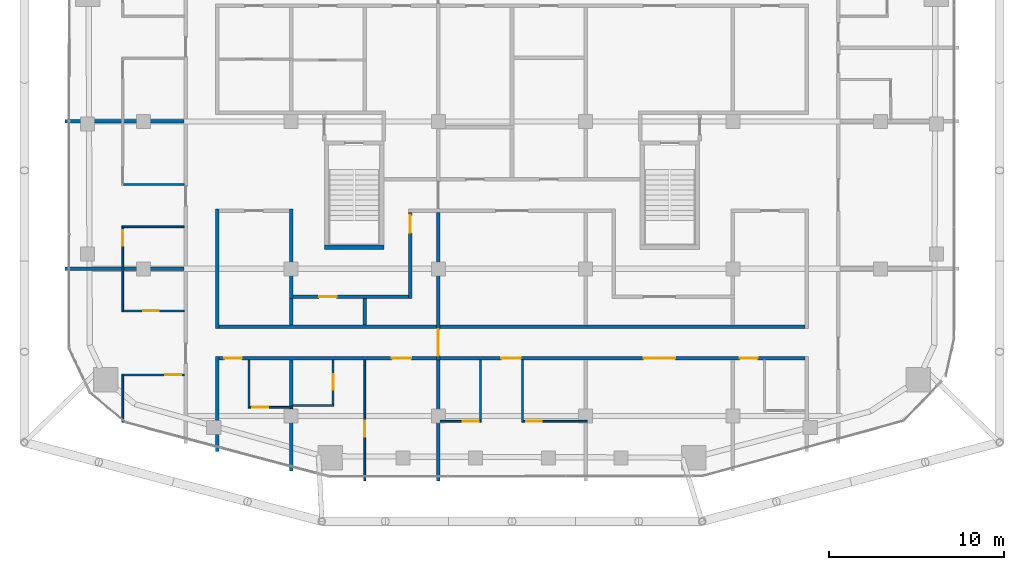
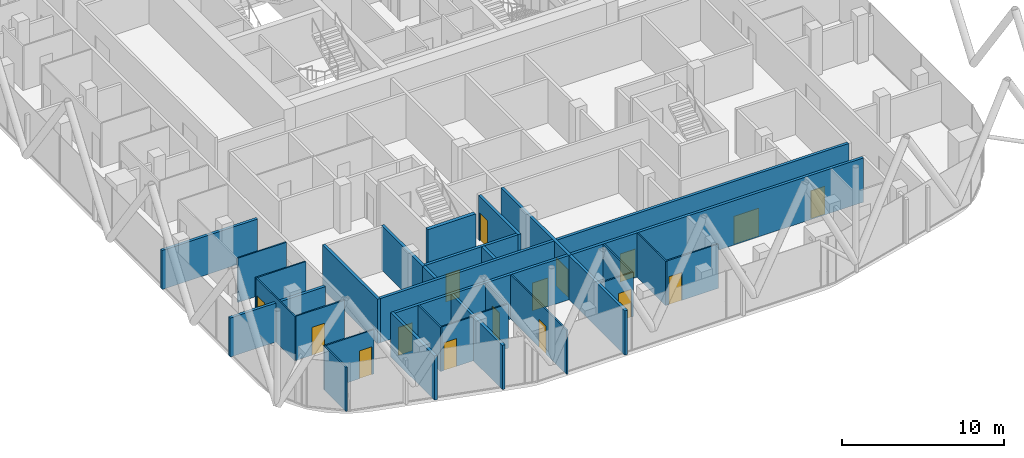
# One storey, part 20 of 28: 30 walls, 16 doors, 16 openings.
"""IFC4 building model written with IfcOpenShell, lengths in metres."""

import ifcopenshell
import ifcopenshell.guid

model = None  # the IFC model being written
_history = None  # IfcOwnerHistory: only IFC2X3 demands one
_inside = {}  # id of a spatial element -> (the spatial element, [elements in it])
_under = {}  # id of a project, library or spatial element -> (it, [spatial elements below it])
_declared = {}  # id of a project -> (the project, [libraries it declares])
_typed = {}  # id of a type object -> (the type object, [elements of that type])
_made_of = {}  # id of a material, layer set ... -> (it, [elements and type objects made of it])


def new_model(schema):
    """Start an empty IFC model of exactly this schema.

    Asked for "IFC4X3", IfcOpenShell would pick the latest addendum, in which some entities
    have other attributes; the version numbers below select the first issue.
    IFC2X3 requires an IfcOwnerHistory on every rooted entity: one is made here for all.
    """
    global model, _history
    if schema == "IFC4X3":
        model = ifcopenshell.file(schema_version=(4, 3, 0, 0))
    else:
        model = ifcopenshell.file(schema=schema)
    _inside.clear()
    _under.clear()
    _declared.clear()
    _typed.clear()
    _made_of.clear()
    _history = None
    if model.schema == "IFC2X3":
        org = make("IfcOrganization", Name="unknown")
        user = make(
            "IfcPersonAndOrganization",
            ThePerson=make("IfcPerson", FamilyName="unknown"),
            TheOrganization=org,
        )
        app = make(
            "IfcApplication",
            ApplicationDeveloper=org,
            Version="unknown",
            ApplicationFullName="unknown",
            ApplicationIdentifier="unknown",
        )
        _history = make(
            "IfcOwnerHistory",
            OwningUser=user,
            OwningApplication=app,
            ChangeAction="ADDED",
            CreationDate=0,
        )
    return model


def make(cls, **values):
    """One entity of the class cls with the attributes given. An attribute that is None is left unset."""
    return model.create_entity(
        cls, **{name: value for name, value in values.items() if value is not None}
    )


def rooted(cls, **values):
    """An entity with a GlobalId (a new one), such as an element, a storey or a relation."""
    return make(cls, GlobalId=ifcopenshell.guid.new(), OwnerHistory=_history, **values)


def si_unit(unit_type, name, prefix=None):
    """IfcSIUnit, for example si_unit("LENGTHUNIT", "METRE", prefix="MILLI")."""
    return make("IfcSIUnit", UnitType=unit_type, Prefix=prefix, Name=name)


def assignment(units):
    """IfcUnitAssignment: the units of a project."""
    return None if units is None else make("IfcUnitAssignment", Units=units)


def point(xyz):
    """IfcCartesianPoint."""
    return None if xyz is None else make("IfcCartesianPoint", Coordinates=xyz)


def direction(xyz):
    """IfcDirection."""
    return None if xyz is None else make("IfcDirection", DirectionRatios=xyz)


def frame(location, z_axis=None, x_axis=None):
    """IfcAxis2Placement3D, a coordinate frame: its origin and axes. An axis left out is left unset."""
    return make(
        "IfcAxis2Placement3D",
        Location=point(location),
        Axis=direction(z_axis),
        RefDirection=direction(x_axis),
    )


def frame_2d(location, x_axis=None):
    """IfcAxis2Placement2D, a coordinate frame in the plane: its origin and x axis."""
    return make(
        "IfcAxis2Placement2D", Location=point(location), RefDirection=direction(x_axis)
    )


def origin():
    """The frame at (0, 0, 0) with its axes left unset."""
    return frame((0.0, 0.0, 0.0))


def place(relative_to, where):
    """IfcLocalPlacement: puts the frame where relative to a parent placement (None: the world)."""
    return make(
        "IfcLocalPlacement", PlacementRelTo=relative_to, RelativePlacement=where
    )


def context(
    kind, dimensions, precision=None, world=None, true_north=None, identifier=None
):
    """IfcGeometricRepresentationContext, for example the 3D "Model" context."""
    return make(
        "IfcGeometricRepresentationContext",
        ContextIdentifier=identifier,
        ContextType=kind,
        CoordinateSpaceDimension=dimensions,
        Precision=precision,
        WorldCoordinateSystem=world,
        TrueNorth=true_north,
    )


def subcontext(parent, identifier, kind, view, scale=None):
    """IfcGeometricRepresentationSubContext, for example "Body" below "Model"."""
    return make(
        "IfcGeometricRepresentationSubContext",
        ContextIdentifier=identifier,
        ContextType=kind,
        ParentContext=parent,
        TargetScale=scale,
        TargetView=view,
    )


def project(units=None, contexts=None):
    """IfcProject with its units and contexts."""
    return rooted(
        "IfcProject",
        Name="project",
        RepresentationContexts=contexts,
        UnitsInContext=assignment(units),
    )


def spatial(cls, under=None, at=None, **own):
    """A site, building, storey or space (cls), placed at a placement, below another one or the project."""
    s = rooted(cls, ObjectPlacement=at, **own)
    if under is not None:
        _under.setdefault(under.id(), (under, []))[1].append(s)
    return s


def profile(cls, at=None, kind="AREA", **sizes):
    """A parametric profile (cls). Its sizes go by their IFC names, for example OverallWidth=200.0."""
    return make(cls, ProfileType=kind, Position=at, **sizes)


def rectangle(**sizes):
    """IfcRectangleProfileDef."""
    return profile("IfcRectangleProfileDef", **sizes)


def extrude(swept, where, along, depth):
    """IfcExtrudedAreaSolid: the profile swept, set in the frame where, extruded along a direction by depth."""
    return make(
        "IfcExtrudedAreaSolid",
        SweptArea=swept,
        Position=where,
        ExtrudedDirection=direction(along),
        Depth=depth,
    )


def shape(context_of_items, identifier, shape_type, items):
    """IfcShapeRepresentation: the items that make up one representation, for example the "Body"."""
    return make(
        "IfcShapeRepresentation",
        ContextOfItems=context_of_items,
        RepresentationIdentifier=identifier,
        RepresentationType=shape_type,
        Items=items,
    )


def material(Name=None, Category=None):
    """IfcMaterial."""
    return make("IfcMaterial", Name=Name, Category=Category)


def layer(
    of_material, thickness, ventilated=None, Name=None, Category=None, Priority=None
):
    """IfcMaterialLayer: one layer of a wall or slab, of a material (None: an air gap)."""
    return make(
        "IfcMaterialLayer",
        Material=of_material,
        LayerThickness=thickness,
        IsVentilated=ventilated,
        Name=Name,
        Category=Category,
        Priority=Priority,
    )


def layer_set(layers, Name=None):
    """IfcMaterialLayerSet."""
    return make("IfcMaterialLayerSet", MaterialLayers=layers, LayerSetName=Name)


def made_of(thing, what):
    """Note that an element or type object is made of a material, layer set ...; save() writes the relation."""
    if what is not None:
        _made_of.setdefault(what.id(), (what, []))[1].append(thing)
    return thing


def type_object(cls, material=None, **own):
    """A type object (cls), such as IfcWallType, which elements share."""
    return made_of(rooted(cls, **own), material)


def element(
    cls,
    number,
    at=None,
    inside=None,
    cuts=None,
    type_object=None,
    material=None,
    context=None,
    identifier="Body",
    shape_type=None,
    held_by="IfcProductDefinitionShape",
    body=None,
    shapes=None,
    **own,
):
    """One element of the class cls, such as IfcWall. Its Tag is "e" and its number.

    at: its placement. inside: the storey or other place that contains it. cuts: it is an
    opening in that element (IfcRelVoidsElement). A single representation is given by context,
    identifier, shape_type and body (its items); several are given by shapes. held_by: the class
    of the entity that holds the representations. save() writes the other relations.
    """
    e = rooted(cls, Tag="e%d" % number, ObjectPlacement=at, **own)
    if body is not None:
        shapes = [shape(context, identifier, shape_type, body)]
    if shapes is not None:
        e.Representation = make(held_by, Representations=shapes)
    if inside is not None:
        _inside.setdefault(inside.id(), (inside, []))[1].append(e)
    if cuts is not None:
        rooted(
            "IfcRelVoidsElement", RelatingBuildingElement=cuts, RelatedOpeningElement=e
        )
    if type_object is not None:
        _typed.setdefault(type_object.id(), (type_object, []))[1].append(e)
    return made_of(e, material)


def fill(opening, filler):
    """IfcRelFillsElement: the door or window that sits in an opening."""
    return rooted(
        "IfcRelFillsElement",
        RelatingOpeningElement=opening,
        RelatedBuildingElement=filler,
    )


def aggregate(whole, parts):
    """IfcRelAggregates: a whole, such as a stair, and the parts it consists of."""
    return rooted("IfcRelAggregates", RelatingObject=whole, RelatedObjects=parts)


def save(model, path):
    """Write the relations noted so far, then the file.

    IfcRelAggregates (storeys below a building ...), IfcRelContainedInSpatialStructure (elements
    in a storey), IfcRelDefinesByType, IfcRelAssociatesMaterial and IfcRelDeclares: one each for
    every whole, place, type object, material and project.
    """
    for whole, parts in _under.values():
        aggregate(whole, parts)
    for where, things in _inside.values():
        rooted(
            "IfcRelContainedInSpatialStructure",
            RelatedElements=things,
            RelatingStructure=where,
        )
    for kind, things in _typed.values():
        rooted("IfcRelDefinesByType", RelatedObjects=things, RelatingType=kind)
    for what, things in _made_of.values():
        rooted("IfcRelAssociatesMaterial", RelatedObjects=things, RelatingMaterial=what)
    for by, libraries in _declared.values():
        rooted("IfcRelDeclares", RelatingContext=by, RelatedDefinitions=libraries)
    model.write(path)


model = new_model("IFC4")

# Units and contexts
model_context = context("Model", 3, precision=1e-05, world=origin(), true_north=direction((0.0, 1.0)))
body_context = subcontext(model_context, "Body", "Model", "MODEL_VIEW")
ifc_project = project(units=[si_unit("LENGTHUNIT", "METRE"), si_unit("AREAUNIT", "SQUARE_METRE"), si_unit("VOLUMEUNIT", "CUBIC_METRE"), si_unit("PLANEANGLEUNIT", "RADIAN"), si_unit("MASSUNIT", "GRAM", prefix="KILO")], contexts=[model_context])

# Site, building, storey
site_placement = place(None, origin())
site = spatial("IfcSite", under=ifc_project, at=site_placement, CompositionType="ELEMENT")
building_placement = place(site_placement, origin())
building = spatial("IfcBuilding", under=site, at=building_placement, Name="Marenta Gate Hotel Tower", CompositionType="ELEMENT")
storey_placement = place(building_placement, frame((0.0, 0.0, 241.699951171875)))
storey = spatial("IfcBuildingStorey", under=building, at=storey_placement, Name="L57", CompositionType="ELEMENT", Elevation=241.699951171875)

# Wall
ifc_material_1 = material(Name="Concrete blockwork", Category="masonry")
ifc_layer_1 = layer(ifc_material_1, 0.199951171875)
ifc_layer_set_1 = layer_set([ifc_layer_1], Name="Concrete blockwork")
wall_type_1 = type_object("IfcWallType", Name="Compartment wall 200 REI 180", PredefinedType="PARTITIONING", material=ifc_layer_set_1)
wall_1_placement = place(storey_placement, frame((-4.199951171875, -28.89990234375, 0.0), z_axis=(0.0, 0.0, 1.0), x_axis=(0.0, 1.0, 0.0)))
element("IfcWall", 1, at=wall_1_placement, inside=storey, type_object=wall_type_1, Name="L57-PTN-W069", PredefinedType="PARTITIONING", context=body_context, shape_type="SweptSolid", body=[
    extrude(rectangle(XDim=6.89990234375, YDim=0.199951171875, at=frame_2d((3.449951171875, 0.0))), origin(), (0.0, 0.0, 1.0), 3.340087890625),
])

# Wall, opening, door
wall_2_placement = place(storey_placement, frame((-4.199951171875, -22.0, 0.0), z_axis=(0.0, 0.0, 1.0), x_axis=(0.0, 1.0, 0.0)))
wall_2 = element("IfcWall", 2, at=wall_2_placement, inside=storey, type_object=wall_type_1, Name="L57-PTN-W070", PredefinedType="PARTITIONING", context=body_context, shape_type="SweptSolid", body=[
    extrude(rectangle(XDim=8.39990234375, YDim=0.199951171875, at=frame_2d((4.199951171875, 0.0))), origin(), (0.0, 0.0, 1.0), 3.340087890625),
])
opening_1_placement = place(wall_2_placement, frame((0.25, 0.0, 0.0)))
opening_1 = element("IfcOpeningElement", 3, at=opening_1_placement, cuts=wall_2, Name="Opening G21-FD4", PredefinedType="OPENING", context=body_context, shape_type="SweptSolid", body=[
    extrude(rectangle(XDim=1.5, YDim=2.10009765625, at=frame_2d((0.75, 1.050048828125))), frame((0.0, 0.10009765625, 0.0), z_axis=(0.0, -1.0, 0.0), x_axis=(1.0, 0.0, 0.0)), (0.0, 0.0, 1.0), 0.199951171875),
])
ifc_material_2 = material(Name="Hollow steel door set", Category="steel")
door_type_1 = type_object("IfcDoorType", Name="Compartment fire door 1500x2100 EI 60", OperationType="DOUBLE_DOOR_DOUBLE_SWING", PredefinedType="DOOR", material=ifc_material_2)
door_1_placement = place(opening_1_placement, origin())
door_1 = element("IfcDoor", 4, at=door_1_placement, inside=storey, type_object=door_type_1, Name="L57-PD-FD04", OperationType="DOUBLE_DOOR_DOUBLE_SWING", OverallHeight=2.10009765625, OverallWidth=1.5, PredefinedType="DOOR", context=body_context, shape_type="SweptSolid", body=[
    extrude(rectangle(XDim=1.5, YDim=2.10009765625, at=frame_2d((0.75, 1.050048828125))), frame((0.0, 0.02490234375, 0.0), z_axis=(0.0, -1.0, 0.0), x_axis=(1.0, 0.0, 0.0)), (0.0, 0.0, 1.0), 0.050048828125),
])
fill(opening_1, door_1)

# Wall
ifc_material_3 = material(Name="Concrete C40", Category="concrete")
ifc_layer_2 = layer(ifc_material_3, 0.25)
ifc_layer_set_2 = layer_set([ifc_layer_2], Name="Concrete C40")
wall_type_2 = type_object("IfcWallType", Name="Remote stair enclosure wall 250 REI 180", PredefinedType="SHEAR", material=ifc_layer_set_2)
wall_3_placement = place(storey_placement, frame((-10.699951171875, -15.574951171875, 0.10009765625), z_axis=(0.0, 0.0, 1.0), x_axis=(1.0, 0.0, 0.0)))
element("IfcWall", 5, at=wall_3_placement, inside=storey, type_object=wall_type_2, Name="L57-RS-Z3-1-W1", PredefinedType="SHEAR", context=body_context, shape_type="SweptSolid", body=[
    extrude(rectangle(XDim=3.39990234375, YDim=0.25, at=frame_2d((1.699951171875, 0.0))), origin(), (0.0, 0.0, 1.0), 3.599853515625),
])

# Wall, openings, doors
ifc_material_4 = material(Name="Gypsum board on steel stud", Category="steel")
ifc_layer_3 = layer(ifc_material_4, 0.199951171875)
ifc_layer_set_3 = layer_set([ifc_layer_3], Name="Gypsum board on steel stud")
wall_type_3 = type_object("IfcWallType", Name="Room corridor wall 200 EI 60", PredefinedType="PARTITIONING", material=ifc_layer_set_3)
wall_4_placement = place(storey_placement, frame((-16.699951171875, -21.89990234375, 0.0), z_axis=(0.0, 0.0, 1.0), x_axis=(1.0, 0.0, 0.0)))
wall_4 = element("IfcWall", 6, at=wall_4_placement, inside=storey, type_object=wall_type_3, Name="L57-PTN-W011", PredefinedType="PARTITIONING", context=body_context, shape_type="SweptSolid", body=[
    extrude(rectangle(XDim=33.39990234375, YDim=0.199951171875, at=frame_2d((16.699951171875, 0.0))), origin(), (0.0, 0.0, 1.0), 3.340087890625),
])
opening_2_placement = place(wall_4_placement, frame((0.300048828125, 0.0, 0.0)))
opening_2 = element("IfcOpeningElement", 7, at=opening_2_placement, cuts=wall_4, Name="Opening G21-33", PredefinedType="OPENING", context=body_context, shape_type="SweptSolid", body=[
    extrude(rectangle(XDim=1.0, YDim=2.10009765625, at=frame_2d((0.5, 1.050048828125))), frame((0.0, 0.10009765625, 0.0), z_axis=(0.0, -1.0, 0.0), x_axis=(1.0, 0.0, 0.0)), (0.0, 0.0, 1.0), 0.199951171875),
])
opening_3_placement = place(wall_4_placement, frame((9.85009765625, 0.0, 0.0)))
opening_3 = element("IfcOpeningElement", 8, at=opening_3_placement, cuts=wall_4, Name="Opening G21-35", PredefinedType="OPENING", context=body_context, shape_type="SweptSolid", body=[
    extrude(rectangle(XDim=1.10009765625, YDim=2.10009765625, at=frame_2d((0.550048828125, 1.050048828125))), frame((0.0, 0.10009765625, 0.0), z_axis=(0.0, -1.0, 0.0), x_axis=(1.0, 0.0, 0.0)), (0.0, 0.0, 1.0), 0.199951171875),
])
opening_4_placement = place(wall_4_placement, frame((16.10009765625, 0.0, 0.0)))
opening_4 = element("IfcOpeningElement", 9, at=opening_4_placement, cuts=wall_4, Name="Opening G21-38", PredefinedType="OPENING", context=body_context, shape_type="SweptSolid", body=[
    extrude(rectangle(XDim=1.10009765625, YDim=2.10009765625, at=frame_2d((0.550048828125, 1.050048828125))), frame((0.0, 0.10009765625, 0.0), z_axis=(0.0, -1.0, 0.0), x_axis=(1.0, 0.0, 0.0)), (0.0, 0.0, 1.0), 0.199951171875),
])
opening_5_placement = place(wall_4_placement, frame((24.199951171875, 0.0, 0.0)))
opening_5 = element("IfcOpeningElement", 10, at=opening_5_placement, cuts=wall_4, Name="Opening G21-41", PredefinedType="OPENING", context=body_context, shape_type="SweptSolid", body=[
    extrude(rectangle(XDim=1.800048828125, YDim=2.10009765625, at=frame_2d((0.89990234375, 1.050048828125))), frame((0.0, 0.10009765625, 0.0), z_axis=(0.0, -1.0, 0.0), x_axis=(1.0, 0.0, 0.0)), (0.0, 0.0, 1.0), 0.199951171875),
])
opening_6_placement = place(wall_4_placement, frame((29.699951171875, 0.0, 0.0)))
opening_6 = element("IfcOpeningElement", 11, at=opening_6_placement, cuts=wall_4, Name="Opening G21-42", PredefinedType="OPENING", context=body_context, shape_type="SweptSolid", body=[
    extrude(rectangle(XDim=1.0, YDim=2.10009765625, at=frame_2d((0.5, 1.050048828125))), frame((0.0, 0.10009765625, 0.0), z_axis=(0.0, -1.0, 0.0), x_axis=(1.0, 0.0, 0.0)), (0.0, 0.0, 1.0), 0.199951171875),
])
ifc_material_5 = material(Name="Timber door leaf", Category="wood")
door_type_2 = type_object("IfcDoorType", Name="Guest room door 1000x2100 EI 30", OperationType="NOTDEFINED", PredefinedType="DOOR", material=ifc_material_5)
door_2_placement = place(opening_2_placement, origin())
door_2 = element("IfcDoor", 12, at=door_2_placement, inside=storey, type_object=door_type_2, Name="L57-PD-D033", OperationType="SINGLE_SWING_RIGHT", OverallHeight=2.10009765625, OverallWidth=1.0, PredefinedType="DOOR", context=body_context, shape_type="SweptSolid", body=[
    extrude(rectangle(XDim=1.0, YDim=2.10009765625, at=frame_2d((0.5, 1.050048828125))), frame((0.0, 0.02490234375, 0.0), z_axis=(0.0, -1.0, 0.0), x_axis=(1.0, 0.0, 0.0)), (0.0, 0.0, 1.0), 0.050048828125),
])
fill(opening_2, door_2)
door_3_placement = place(opening_6_placement, origin())
door_3 = element("IfcDoor", 13, at=door_3_placement, inside=storey, type_object=door_type_2, Name="L57-PD-D042", OperationType="SINGLE_SWING_RIGHT", OverallHeight=2.10009765625, OverallWidth=1.0, PredefinedType="DOOR", context=body_context, shape_type="SweptSolid", body=[
    extrude(rectangle(XDim=1.0, YDim=2.10009765625, at=frame_2d((0.5, 1.050048828125))), frame((0.0, 0.02490234375, 0.0), z_axis=(0.0, -1.0, 0.0), x_axis=(1.0, 0.0, 0.0)), (0.0, 0.0, 1.0), 0.050048828125),
])
fill(opening_6, door_3)
ifc_material_6 = material(Name="Timber door leaf", Category="wood")
door_type_3 = type_object("IfcDoorType", Name="Guest room door 1100x2100 EI 30", OperationType="NOTDEFINED", PredefinedType="DOOR", material=ifc_material_6)
door_4_placement = place(opening_3_placement, origin())
door_4 = element("IfcDoor", 14, at=door_4_placement, inside=storey, type_object=door_type_3, Name="L57-PD-D035", OperationType="SINGLE_SWING_LEFT", OverallHeight=2.10009765625, OverallWidth=1.10009765625, PredefinedType="DOOR", context=body_context, shape_type="SweptSolid", body=[
    extrude(rectangle(XDim=1.10009765625, YDim=2.10009765625, at=frame_2d((0.550048828125, 1.050048828125))), frame((0.0, 0.02490234375, 0.0), z_axis=(0.0, -1.0, 0.0), x_axis=(1.0, 0.0, 0.0)), (0.0, 0.0, 1.0), 0.050048828125),
])
fill(opening_3, door_4)
door_5_placement = place(opening_4_placement, origin())
door_5 = element("IfcDoor", 15, at=door_5_placement, inside=storey, type_object=door_type_3, Name="L57-PD-D038", OperationType="SINGLE_SWING_LEFT", OverallHeight=2.10009765625, OverallWidth=1.10009765625, PredefinedType="DOOR", context=body_context, shape_type="SweptSolid", body=[
    extrude(rectangle(XDim=1.10009765625, YDim=2.10009765625, at=frame_2d((0.550048828125, 1.050048828125))), frame((0.0, 0.02490234375, 0.0), z_axis=(0.0, -1.0, 0.0), x_axis=(1.0, 0.0, 0.0)), (0.0, 0.0, 1.0), 0.050048828125),
])
fill(opening_4, door_5)
ifc_material_7 = material(Name="Timber door leaf", Category="wood")
door_type_4 = type_object("IfcDoorType", Name="Room amenity door 1800x2100 EI 30", OperationType="DOUBLE_DOOR_SINGLE_SWING", PredefinedType="DOOR", material=ifc_material_7)
door_6_placement = place(opening_5_placement, origin())
door_6 = element("IfcDoor", 16, at=door_6_placement, inside=storey, type_object=door_type_4, Name="L57-PD-D041", OperationType="DOUBLE_DOOR_SINGLE_SWING", OverallHeight=2.10009765625, OverallWidth=1.800048828125, PredefinedType="DOOR", context=body_context, shape_type="SweptSolid", body=[
    extrude(rectangle(XDim=1.800048828125, YDim=2.10009765625, at=frame_2d((0.89990234375, 1.050048828125))), frame((0.0, 0.02490234375, 0.0), z_axis=(0.0, -1.0, 0.0), x_axis=(1.0, 0.0, 0.0)), (0.0, 0.0, 1.0), 0.050048828125),
])
fill(opening_5, door_6)

# Wall
wall_5_placement = place(storey_placement, frame((-16.699951171875, -20.10009765625, 0.0), z_axis=(0.0, 0.0, 1.0), x_axis=(1.0, 0.0, 0.0)))
element("IfcWall", 17, at=wall_5_placement, inside=storey, type_object=wall_type_3, Name="L57-PTN-W015", PredefinedType="PARTITIONING", context=body_context, shape_type="SweptSolid", body=[
    extrude(rectangle(XDim=33.39990234375, YDim=0.199951171875, at=frame_2d((16.699951171875, 0.0))), origin(), (0.0, 0.0, 1.0), 3.340087890625),
])

# Wall, opening, door
wall_6_placement = place(storey_placement, frame((-12.5, -18.39990234375, 0.0), z_axis=(0.0, 0.0, 1.0), x_axis=(1.0, 0.0, 0.0)))
wall_6 = element("IfcWall", 18, at=wall_6_placement, inside=storey, type_object=wall_type_3, Name="L57-PTN-W018", PredefinedType="PARTITIONING", context=body_context, shape_type="SweptSolid", body=[
    extrude(rectangle(XDim=6.60009765625, YDim=0.199951171875, at=frame_2d((3.300048828125, 0.0))), origin(), (0.0, 0.0, 1.0), 3.340087890625),
])
opening_7_placement = place(wall_6_placement, frame((1.5, 0.0, 0.0)))
opening_7 = element("IfcOpeningElement", 19, at=opening_7_placement, cuts=wall_6, Name="Opening G21-09", PredefinedType="OPENING", context=body_context, shape_type="SweptSolid", body=[
    extrude(rectangle(XDim=1.0, YDim=2.10009765625, at=frame_2d((0.5, 1.050048828125))), frame((0.0, 0.10009765625, 0.0), z_axis=(0.0, -1.0, 0.0), x_axis=(1.0, 0.0, 0.0)), (0.0, 0.0, 1.0), 0.199951171875),
])
ifc_material_8 = material(Name="Timber door leaf", Category="wood")
door_type_5 = type_object("IfcDoorType", Name="Room amenity door 1000x2100 EI 30", OperationType="NOTDEFINED", PredefinedType="DOOR", material=ifc_material_8)
door_7_placement = place(opening_7_placement, origin())
door_7 = element("IfcDoor", 20, at=door_7_placement, inside=storey, type_object=door_type_5, Name="L57-PD-D009", OperationType="SINGLE_SWING_RIGHT", OverallHeight=2.10009765625, OverallWidth=1.0, PredefinedType="DOOR", context=body_context, shape_type="SweptSolid", body=[
    extrude(rectangle(XDim=1.0, YDim=2.10009765625, at=frame_2d((0.5, 1.050048828125))), frame((0.0, 0.02490234375, 0.0), z_axis=(0.0, -1.0, 0.0), x_axis=(1.0, 0.0, 0.0)), (0.0, 0.0, 1.0), 0.050048828125),
])
fill(opening_7, door_7)

wall_7_placement = place(storey_placement, frame((-5.800048828125, -18.5, 0.0), z_axis=(0.0, 0.0, 1.0), x_axis=(0.0, 1.0, 0.0)))
wall_7 = element("IfcWall", 21, at=wall_7_placement, inside=storey, type_object=wall_type_3, Name="L57-PTN-W075", PredefinedType="PARTITIONING", context=body_context, shape_type="SweptSolid", body=[
    extrude(rectangle(XDim=4.89990234375, YDim=0.199951171875, at=frame_2d((2.449951171875, 0.0))), origin(), (0.0, 0.0, 1.0), 3.340087890625),
])
opening_8_placement = place(wall_7_placement, frame((3.75, 0.0, 0.0)))
opening_8 = element("IfcOpeningElement", 22, at=opening_8_placement, cuts=wall_7, Name="Opening G21-10", PredefinedType="OPENING", context=body_context, shape_type="SweptSolid", body=[
    extrude(rectangle(XDim=1.0, YDim=2.10009765625, at=frame_2d((0.5, 1.050048828125))), frame((0.0, 0.10009765625, 0.0), z_axis=(0.0, -1.0, 0.0), x_axis=(1.0, 0.0, 0.0)), (0.0, 0.0, 1.0), 0.199951171875),
])
door_8_placement = place(opening_8_placement, origin())
door_8 = element("IfcDoor", 23, at=door_8_placement, inside=storey, type_object=door_type_5, Name="L57-PD-D010", OperationType="SINGLE_SWING_RIGHT", OverallHeight=2.10009765625, OverallWidth=1.0, PredefinedType="DOOR", context=body_context, shape_type="SweptSolid", body=[
    extrude(rectangle(XDim=1.0, YDim=2.10009765625, at=frame_2d((0.5, 1.050048828125))), frame((0.0, 0.02490234375, 0.0), z_axis=(0.0, -1.0, 0.0), x_axis=(1.0, 0.0, 0.0)), (0.0, 0.0, 1.0), 0.050048828125),
])
fill(opening_8, door_8)

# Walls
wall_8_placement = place(storey_placement, frame((-12.60009765625, -18.5, 0.0), z_axis=(0.0, 0.0, 1.0), x_axis=(0.0, 1.0, 0.0)))
element("IfcWall", 24, at=wall_8_placement, inside=storey, type_object=wall_type_3, Name="L57-PTN-W091", PredefinedType="PARTITIONING", context=body_context, shape_type="SweptSolid", body=[
    extrude(rectangle(XDim=5.10009765625, YDim=0.199951171875, at=frame_2d((2.550048828125, 0.0))), origin(), (0.0, 0.0, 1.0), 3.340087890625),
])
wall_9_placement = place(storey_placement, frame((-16.800048828125, -27.22900390625, 0.0), z_axis=(0.0, 0.0, 1.0), x_axis=(0.0, 1.0, 0.0)))
element("IfcWall", 25, at=wall_9_placement, inside=storey, type_object=wall_type_3, Name="L57-PTN-W095", PredefinedType="PARTITIONING", context=body_context, shape_type="SweptSolid", body=[
    extrude(rectangle(XDim=5.428955078125, YDim=0.199951171875, at=frame_2d((2.71435546875, 0.0))), origin(), (0.0, 0.0, 1.0), 3.340087890625),
])
wall_10_placement = place(storey_placement, frame((-16.800048828125, -20.199951171875, 0.0), z_axis=(0.0, 0.0, 1.0), x_axis=(0.0, 1.0, 0.0)))
element("IfcWall", 26, at=wall_10_placement, inside=storey, type_object=wall_type_3, Name="L57-PTN-W096", PredefinedType="PARTITIONING", context=body_context, shape_type="SweptSolid", body=[
    extrude(rectangle(XDim=6.800048828125, YDim=0.199951171875, at=frame_2d((3.39990234375, 0.0))), origin(), (0.0, 0.0, 1.0), 3.340087890625),
])

# Wall, opening, door
ifc_material_9 = material(Name="Gypsum board on steel stud", Category="steel")
ifc_layer_4 = layer(ifc_material_9, 0.10009765625)
ifc_layer_set_4 = layer_set([ifc_layer_4], Name="Gypsum board on steel stud")
wall_type_4 = type_object("IfcWallType", Name="Room partition 100", PredefinedType="PARTITIONING", material=ifc_layer_set_4)
wall_11_placement = place(storey_placement, frame((-4.10009765625, -25.5, 0.0), z_axis=(0.0, 0.0, 1.0), x_axis=(1.0, 0.0, 0.0)))
wall_11 = element("IfcWall", 27, at=wall_11_placement, inside=storey, type_object=wall_type_4, Name="L57-PTN-W001", PredefinedType="PARTITIONING", context=body_context, shape_type="SweptSolid", body=[
    extrude(rectangle(XDim=2.35009765625, YDim=0.10009765625, at=frame_2d((1.175048828125, 0.0))), origin(), (0.0, 0.0, 1.0), 3.340087890625),
])
opening_9_placement = place(wall_11_placement, frame((1.300048828125, 0.0, 0.0)))
opening_9 = element("IfcOpeningElement", 28, at=opening_9_placement, cuts=wall_11, Name="Opening G21-40", PredefinedType="OPENING", context=body_context, shape_type="SweptSolid", body=[
    extrude(rectangle(XDim=0.89990234375, YDim=2.10009765625, at=frame_2d((0.449951171875, 1.050048828125))), frame((0.0, 0.050048828125, 0.0), z_axis=(0.0, -1.0, 0.0), x_axis=(1.0, 0.0, 0.0)), (0.0, 0.0, 1.0), 0.10009765625),
])
ifc_material_10 = material(Name="Timber door leaf", Category="wood")
door_type_6 = type_object("IfcDoorType", Name="Room inner door 900x2100", OperationType="NOTDEFINED", PredefinedType="DOOR", material=ifc_material_10)
door_9_placement = place(opening_9_placement, origin())
door_9 = element("IfcDoor", 29, at=door_9_placement, inside=storey, type_object=door_type_6, Name="L57-PD-D040", OperationType="SINGLE_SWING_RIGHT", OverallHeight=2.10009765625, OverallWidth=0.89990234375, PredefinedType="DOOR", context=body_context, shape_type="SweptSolid", body=[
    extrude(rectangle(XDim=0.89990234375, YDim=2.10009765625, at=frame_2d((0.449951171875, 1.050048828125))), frame((0.0, 0.02490234375, 0.0), z_axis=(0.0, -1.0, 0.0), x_axis=(1.0, 0.0, 0.0)), (0.0, 0.0, 1.0), 0.050048828125),
])
fill(opening_9, door_9)

wall_12_placement = place(storey_placement, frame((0.64990234375, -25.5, 0.0), z_axis=(0.0, 0.0, 1.0), x_axis=(1.0, 0.0, 0.0)))
wall_12 = element("IfcWall", 30, at=wall_12_placement, inside=storey, type_object=wall_type_4, Name="L57-PTN-W002", PredefinedType="PARTITIONING", context=body_context, shape_type="SweptSolid", body=[
    extrude(rectangle(XDim=3.650146484375, YDim=0.10009765625, at=frame_2d((1.8251953125, 0.0))), origin(), (0.0, 0.0, 1.0), 3.340087890625),
])
opening_10_placement = place(wall_12_placement, frame((0.14990234375, 0.0, 0.0)))
opening_10 = element("IfcOpeningElement", 31, at=opening_10_placement, cuts=wall_12, Name="Opening G21-39", PredefinedType="OPENING", context=body_context, shape_type="SweptSolid", body=[
    extrude(rectangle(XDim=0.89990234375, YDim=2.10009765625, at=frame_2d((0.449951171875, 1.050048828125))), frame((0.0, 0.050048828125, 0.0), z_axis=(0.0, -1.0, 0.0), x_axis=(1.0, 0.0, 0.0)), (0.0, 0.0, 1.0), 0.10009765625),
])
ifc_material_11 = material(Name="Timber door leaf", Category="wood")
door_type_7 = type_object("IfcDoorType", Name="Guest bathroom door 900x2100", OperationType="NOTDEFINED", PredefinedType="DOOR", material=ifc_material_11)
door_10_placement = place(opening_10_placement, origin())
door_10 = element("IfcDoor", 32, at=door_10_placement, inside=storey, type_object=door_type_7, Name="L57-PD-D039", OperationType="SINGLE_SWING_LEFT", OverallHeight=2.10009765625, OverallWidth=0.89990234375, PredefinedType="DOOR", context=body_context, shape_type="SweptSolid", body=[
    extrude(rectangle(XDim=0.89990234375, YDim=2.10009765625, at=frame_2d((0.449951171875, 1.050048828125))), frame((0.0, 0.02490234375, 0.0), z_axis=(0.0, -1.0, 0.0), x_axis=(1.0, 0.0, 0.0)), (0.0, 0.0, 1.0), 0.050048828125),
])
fill(opening_10, door_10)

wall_13_placement = place(storey_placement, frame((-14.949951171875, -24.699951171875, 0.0), z_axis=(0.0, 0.0, 1.0), x_axis=(1.0, 0.0, 0.0)))
wall_13 = element("IfcWall", 33, at=wall_13_placement, inside=storey, type_object=wall_type_4, Name="L57-PTN-W004", PredefinedType="PARTITIONING", context=body_context, shape_type="SweptSolid", body=[
    extrude(rectangle(XDim=2.449951171875, YDim=0.10009765625, at=frame_2d((1.22509765625, 0.0))), origin(), (0.0, 0.0, 1.0), 3.340087890625),
])
opening_11_placement = place(wall_13_placement, frame((0.14990234375, 0.0, 0.0)))
opening_11 = element("IfcOpeningElement", 34, at=opening_11_placement, cuts=wall_13, Name="Opening G21-34", PredefinedType="OPENING", context=body_context, shape_type="SweptSolid", body=[
    extrude(rectangle(XDim=0.89990234375, YDim=2.10009765625, at=frame_2d((0.449951171875, 1.050048828125))), frame((0.0, 0.050048828125, 0.0), z_axis=(0.0, -1.0, 0.0), x_axis=(1.0, 0.0, 0.0)), (0.0, 0.0, 1.0), 0.10009765625),
])
door_11_placement = place(opening_11_placement, origin())
door_11 = element("IfcDoor", 35, at=door_11_placement, inside=storey, type_object=door_type_7, Name="L57-PD-D034", OperationType="SINGLE_SWING_LEFT", OverallHeight=2.10009765625, OverallWidth=0.89990234375, PredefinedType="DOOR", context=body_context, shape_type="SweptSolid", body=[
    extrude(rectangle(XDim=0.89990234375, YDim=2.10009765625, at=frame_2d((0.449951171875, 1.050048828125))), frame((0.0, 0.02490234375, 0.0), z_axis=(0.0, -1.0, 0.0), x_axis=(1.0, 0.0, 0.0)), (0.0, 0.0, 1.0), 0.050048828125),
])
fill(opening_11, door_11)

# Wall
wall_14_placement = place(storey_placement, frame((-12.5, -24.60009765625, 0.0), z_axis=(0.0, 0.0, 1.0), x_axis=(1.0, 0.0, 0.0)))
element("IfcWall", 36, at=wall_14_placement, inside=storey, type_object=wall_type_4, Name="L57-PTN-W005", PredefinedType="PARTITIONING", context=body_context, shape_type="SweptSolid", body=[
    extrude(rectangle(XDim=2.35009765625, YDim=0.10009765625, at=frame_2d((1.175048828125, 0.0))), origin(), (0.0, 0.0, 1.0), 3.340087890625),
])

# Wall, opening, door
wall_15_placement = place(storey_placement, frame((-22.25, -22.85107421875, 0.0), z_axis=(0.0, 0.0, 1.0), x_axis=(1.0, 0.0, 0.0)))
wall_15 = element("IfcWall", 37, at=wall_15_placement, inside=storey, type_object=wall_type_4, Name="L57-PTN-W006", PredefinedType="PARTITIONING", context=body_context, shape_type="SweptSolid", body=[
    extrude(rectangle(XDim=3.550048828125, YDim=0.10009765625, at=frame_2d((1.77490234375, 0.0))), origin(), (0.0, 0.0, 1.0), 3.340087890625),
])
opening_12_placement = place(wall_15_placement, frame((2.489990234375, 0.0, 0.0)))
opening_12 = element("IfcOpeningElement", 38, at=opening_12_placement, cuts=wall_15, Name="Opening G21-45", PredefinedType="OPENING", context=body_context, shape_type="SweptSolid", body=[
    extrude(rectangle(XDim=0.89990234375, YDim=2.10009765625, at=frame_2d((0.449951171875, 1.050048828125))), frame((0.0, 0.050048828125, 0.0), z_axis=(0.0, -1.0, 0.0), x_axis=(1.0, 0.0, 0.0)), (0.0, 0.0, 1.0), 0.10009765625),
])
door_12_placement = place(opening_12_placement, origin())
door_12 = element("IfcDoor", 39, at=door_12_placement, inside=storey, type_object=door_type_7, Name="L57-PD-D045", OperationType="SINGLE_SWING_LEFT", OverallHeight=2.10009765625, OverallWidth=0.89990234375, PredefinedType="DOOR", context=body_context, shape_type="SweptSolid", body=[
    extrude(rectangle(XDim=0.89990234375, YDim=2.10009765625, at=frame_2d((0.449951171875, 1.050048828125))), frame((0.0, 0.02490234375, 0.0), z_axis=(0.0, -1.0, 0.0), x_axis=(1.0, 0.0, 0.0)), (0.0, 0.0, 1.0), 0.050048828125),
])
fill(opening_12, door_12)

wall_16_placement = place(storey_placement, frame((-22.14990234375, -19.199951171875, 0.0), z_axis=(0.0, 0.0, 1.0), x_axis=(1.0, 0.0, 0.0)))
wall_16 = element("IfcWall", 40, at=wall_16_placement, inside=storey, type_object=wall_type_4, Name="L57-PTN-W016", PredefinedType="PARTITIONING", context=body_context, shape_type="SweptSolid", body=[
    extrude(rectangle(XDim=3.449951171875, YDim=0.10009765625, at=frame_2d((1.72509765625, 0.0))), origin(), (0.0, 0.0, 1.0), 3.340087890625),
])
opening_13_placement = place(wall_16_placement, frame((1.1201171875, 0.0, 0.0)))
opening_13 = element("IfcOpeningElement", 41, at=opening_13_placement, cuts=wall_16, Name="Opening G21-46", PredefinedType="OPENING", context=body_context, shape_type="SweptSolid", body=[
    extrude(rectangle(XDim=0.89990234375, YDim=2.10009765625, at=frame_2d((0.449951171875, 1.050048828125))), frame((0.0, 0.050048828125, 0.0), z_axis=(0.0, -1.0, 0.0), x_axis=(1.0, 0.0, 0.0)), (0.0, 0.0, 1.0), 0.10009765625),
])
door_13_placement = place(opening_13_placement, origin())
door_13 = element("IfcDoor", 42, at=door_13_placement, inside=storey, type_object=door_type_6, Name="L57-PD-D046", OperationType="SINGLE_SWING_LEFT", OverallHeight=2.10009765625, OverallWidth=0.89990234375, PredefinedType="DOOR", context=body_context, shape_type="SweptSolid", body=[
    extrude(rectangle(XDim=0.89990234375, YDim=2.10009765625, at=frame_2d((0.449951171875, 1.050048828125))), frame((0.0, 0.02490234375, 0.0), z_axis=(0.0, -1.0, 0.0), x_axis=(1.0, 0.0, 0.0)), (0.0, 0.0, 1.0), 0.050048828125),
])
fill(opening_13, door_13)

# Walls
wall_17_placement = place(storey_placement, frame((-22.25, -14.39990234375, 0.0), z_axis=(0.0, 0.0, 1.0), x_axis=(1.0, 0.0, 0.0)))
element("IfcWall", 43, at=wall_17_placement, inside=storey, type_object=wall_type_4, Name="L57-PTN-W027", PredefinedType="PARTITIONING", context=body_context, shape_type="SweptSolid", body=[
    extrude(rectangle(XDim=3.550048828125, YDim=0.10009765625, at=frame_2d((1.77490234375, 0.0))), origin(), (0.0, 0.0, 1.0), 3.340087890625),
])
wall_18_placement = place(storey_placement, frame((-22.14990234375, -12.0, 0.0), z_axis=(0.0, 0.0, 1.0), x_axis=(1.0, 0.0, 0.0)))
element("IfcWall", 44, at=wall_18_placement, inside=storey, type_object=wall_type_4, Name="L57-PTN-W036", PredefinedType="PARTITIONING", context=body_context, shape_type="SweptSolid", body=[
    extrude(rectangle(XDim=3.449951171875, YDim=0.10009765625, at=frame_2d((1.72509765625, 0.0))), origin(), (0.0, 0.0, 1.0), 3.340087890625),
])
wall_19_placement = place(storey_placement, frame((0.60009765625, -25.550048828125, 0.0), z_axis=(0.0, 0.0, 1.0), x_axis=(0.0, 1.0, 0.0)))
element("IfcWall", 45, at=wall_19_placement, inside=storey, type_object=wall_type_4, Name="L57-PTN-W062", PredefinedType="PARTITIONING", context=body_context, shape_type="SweptSolid", body=[
    extrude(rectangle(XDim=3.550048828125, YDim=0.10009765625, at=frame_2d((1.77490234375, 0.0))), origin(), (0.0, 0.0, 1.0), 3.340087890625),
])
wall_20_placement = place(storey_placement, frame((-1.800048828125, -25.449951171875, 0.0), z_axis=(0.0, 0.0, 1.0), x_axis=(0.0, 1.0, 0.0)))
element("IfcWall", 46, at=wall_20_placement, inside=storey, type_object=wall_type_4, Name="L57-PTN-W066", PredefinedType="PARTITIONING", context=body_context, shape_type="SweptSolid", body=[
    extrude(rectangle(XDim=3.449951171875, YDim=0.10009765625, at=frame_2d((1.72509765625, 0.0))), origin(), (0.0, 0.0, 1.0), 3.340087890625),
])

# Wall, opening, door
wall_21_placement = place(storey_placement, frame((-8.39990234375, -28.89990234375, 0.0), z_axis=(0.0, 0.0, 1.0), x_axis=(0.0, 1.0, 0.0)))
wall_21 = element("IfcWall", 47, at=wall_21_placement, inside=storey, type_object=wall_type_4, Name="L57-PTN-W078", PredefinedType="PARTITIONING", context=body_context, shape_type="SweptSolid", body=[
    extrude(rectangle(XDim=6.89990234375, YDim=0.10009765625, at=frame_2d((3.449951171875, 0.0))), origin(), (0.0, 0.0, 1.0), 3.340087890625),
])
opening_14_placement = place(wall_21_placement, frame((2.530029296875, 0.0, 0.0)))
opening_14 = element("IfcOpeningElement", 48, at=opening_14_placement, cuts=wall_21, Name="Opening G21-36", PredefinedType="OPENING", context=body_context, shape_type="SweptSolid", body=[
    extrude(rectangle(XDim=0.89990234375, YDim=2.10009765625, at=frame_2d((0.449951171875, 1.050048828125))), frame((0.0, 0.050048828125, 0.0), z_axis=(0.0, -1.0, 0.0), x_axis=(1.0, 0.0, 0.0)), (0.0, 0.0, 1.0), 0.10009765625),
])
door_14_placement = place(opening_14_placement, origin())
door_14 = element("IfcDoor", 49, at=door_14_placement, inside=storey, type_object=door_type_6, Name="L57-PD-D036", OperationType="SINGLE_SWING_LEFT", OverallHeight=2.10009765625, OverallWidth=0.89990234375, PredefinedType="DOOR", context=body_context, shape_type="SweptSolid", body=[
    extrude(rectangle(XDim=0.89990234375, YDim=2.10009765625, at=frame_2d((0.449951171875, 1.050048828125))), frame((0.0, 0.02490234375, 0.0), z_axis=(0.0, -1.0, 0.0), x_axis=(1.0, 0.0, 0.0)), (0.0, 0.0, 1.0), 0.050048828125),
])
fill(opening_14, door_14)

wall_22_placement = place(storey_placement, frame((-10.199951171875, -24.550048828125, 0.0), z_axis=(0.0, 0.0, 1.0), x_axis=(0.0, 1.0, 0.0)))
wall_22 = element("IfcWall", 50, at=wall_22_placement, inside=storey, type_object=wall_type_4, Name="L57-PTN-W083", PredefinedType="PARTITIONING", context=body_context, shape_type="SweptSolid", body=[
    extrude(rectangle(XDim=2.550048828125, YDim=0.10009765625, at=frame_2d((1.27490234375, 0.0))), origin(), (0.0, 0.0, 1.0), 3.340087890625),
])
opening_15_placement = place(wall_22_placement, frame((0.85009765625, 0.0, 0.0)))
opening_15 = element("IfcOpeningElement", 51, at=opening_15_placement, cuts=wall_22, Name="Opening G21-37", PredefinedType="OPENING", context=body_context, shape_type="SweptSolid", body=[
    extrude(rectangle(XDim=0.89990234375, YDim=2.10009765625, at=frame_2d((0.449951171875, 1.050048828125))), frame((0.0, 0.050048828125, 0.0), z_axis=(0.0, -1.0, 0.0), x_axis=(1.0, 0.0, 0.0)), (0.0, 0.0, 1.0), 0.10009765625),
])
door_15_placement = place(opening_15_placement, origin())
door_15 = element("IfcDoor", 52, at=door_15_placement, inside=storey, type_object=door_type_7, Name="L57-PD-D037", OperationType="SINGLE_SWING_RIGHT", OverallHeight=2.10009765625, OverallWidth=0.89990234375, PredefinedType="DOOR", context=body_context, shape_type="SweptSolid", body=[
    extrude(rectangle(XDim=0.89990234375, YDim=2.10009765625, at=frame_2d((0.449951171875, 1.050048828125))), frame((0.0, 0.02490234375, 0.0), z_axis=(0.0, -1.0, 0.0), x_axis=(1.0, 0.0, 0.0)), (0.0, 0.0, 1.0), 0.050048828125),
])
fill(opening_15, door_15)

# Walls
wall_23_placement = place(storey_placement, frame((-15.0, -24.75, 0.0), z_axis=(0.0, 0.0, 1.0), x_axis=(0.0, 1.0, 0.0)))
element("IfcWall", 53, at=wall_23_placement, inside=storey, type_object=wall_type_4, Name="L57-PTN-W094", PredefinedType="PARTITIONING", context=body_context, shape_type="SweptSolid", body=[
    extrude(rectangle(XDim=2.75, YDim=0.10009765625, at=frame_2d((1.375, 0.0))), origin(), (0.0, 0.0, 1.0), 3.340087890625),
])
wall_24_placement = place(storey_placement, frame((-22.199951171875, -25.552001953125, 0.0), z_axis=(0.0, 0.0, 1.0), x_axis=(0.0, 1.0, 0.0)))
element("IfcWall", 54, at=wall_24_placement, inside=storey, type_object=wall_type_4, Name="L57-PTN-W106", PredefinedType="PARTITIONING", context=body_context, shape_type="SweptSolid", body=[
    extrude(rectangle(XDim=2.651123046875, YDim=0.10009765625, at=frame_2d((1.32568359375, 0.0))), origin(), (0.0, 0.0, 1.0), 3.340087890625),
])

# Wall, opening, door
wall_25_placement = place(storey_placement, frame((-22.199951171875, -19.25, 0.0), z_axis=(0.0, 0.0, 1.0), x_axis=(0.0, 1.0, 0.0)))
wall_25 = element("IfcWall", 55, at=wall_25_placement, inside=storey, type_object=wall_type_4, Name="L57-PTN-W107", PredefinedType="PARTITIONING", context=body_context, shape_type="SweptSolid", body=[
    extrude(rectangle(XDim=4.800048828125, YDim=0.10009765625, at=frame_2d((2.39990234375, 0.0))), origin(), (0.0, 0.0, 1.0), 3.340087890625),
])
opening_16_placement = place(wall_25_placement, frame((3.75, 0.0, 0.0)))
opening_16 = element("IfcOpeningElement", 56, at=opening_16_placement, cuts=wall_25, Name="Opening G21-49", PredefinedType="OPENING", context=body_context, shape_type="SweptSolid", body=[
    extrude(rectangle(XDim=0.89990234375, YDim=2.10009765625, at=frame_2d((0.449951171875, 1.050048828125))), frame((0.0, 0.050048828125, 0.0), z_axis=(0.0, -1.0, 0.0), x_axis=(1.0, 0.0, 0.0)), (0.0, 0.0, 1.0), 0.10009765625),
])
door_16_placement = place(opening_16_placement, origin())
door_16 = element("IfcDoor", 57, at=door_16_placement, inside=storey, type_object=door_type_6, Name="L57-PD-D049", OperationType="SINGLE_SWING_LEFT", OverallHeight=2.10009765625, OverallWidth=0.89990234375, PredefinedType="DOOR", context=body_context, shape_type="SweptSolid", body=[
    extrude(rectangle(XDim=0.89990234375, YDim=2.10009765625, at=frame_2d((0.449951171875, 1.050048828125))), frame((0.0, 0.02490234375, 0.0), z_axis=(0.0, -1.0, 0.0), x_axis=(1.0, 0.0, 0.0)), (0.0, 0.0, 1.0), 0.050048828125),
])
fill(opening_16, door_16)

# Walls
ifc_material_12 = material(Name="Gypsum board on steel stud", Category="steel")
ifc_layer_5 = layer(ifc_material_12, 0.199951171875)
ifc_layer_set_5 = layer_set([ifc_layer_5], Name="Gypsum board on steel stud")
wall_type_5 = type_object("IfcWallType", Name="Room party wall 200 EI 60", PredefinedType="PARTITIONING", material=ifc_layer_set_5)
for number, where, z_axis, x_axis, name in (
    (58, (-25.5, -16.800048828125, 0.0), (0.0, 0.0, 1.0), (1.0, 0.0, 0.0), "L57-PTN-W024"),
    (59, (-25.5, -8.39990234375, 0.0), (0.0, 0.0, 1.0), (1.0, 0.0, 0.0), "L57-PTN-W041"),
):
    element("IfcWall", number, at=place(storey_placement, frame(where, z_axis=z_axis, x_axis=x_axis)), inside=storey, type_object=wall_type_5, Name=name, PredefinedType="PARTITIONING", context=body_context, shape_type="SweptSolid", body=[
        extrude(rectangle(XDim=6.800048828125, YDim=0.199951171875, at=frame_2d((3.39990234375, 0.0))), origin(), (0.0, 0.0, 1.0), 2.93994140625),
    ])
wall_26_placement = place(storey_placement, frame((-8.39990234375, -20.0, 0.0), z_axis=(0.0, 0.0, 1.0), x_axis=(0.0, 1.0, 0.0)))
element("IfcWall", 60, at=wall_26_placement, inside=storey, type_object=wall_type_5, Name="L57-PTN-W079", PredefinedType="PARTITIONING", context=body_context, shape_type="SweptSolid", body=[
    extrude(rectangle(XDim=1.5, YDim=0.199951171875, at=frame_2d((0.75, 0.0))), origin(), (0.0, 0.0, 1.0), 3.340087890625),
])
wall_27_placement = place(storey_placement, frame((-12.60009765625, -28.343017578125, 0.0), z_axis=(0.0, 0.0, 1.0), x_axis=(0.0, 1.0, 0.0)))
element("IfcWall", 61, at=wall_27_placement, inside=storey, type_object=wall_type_5, Name="L57-PTN-W087", PredefinedType="PARTITIONING", context=body_context, shape_type="SweptSolid", body=[
    extrude(rectangle(XDim=6.343017578125, YDim=0.199951171875, at=frame_2d((3.17138671875, 0.0))), origin(), (0.0, 0.0, 1.0), 3.340087890625),
])
wall_28_placement = place(storey_placement, frame((-12.60009765625, -20.0, 0.0), z_axis=(0.0, 0.0, 1.0), x_axis=(0.0, 1.0, 0.0)))
element("IfcWall", 62, at=wall_28_placement, inside=storey, type_object=wall_type_5, Name="L57-PTN-W088", PredefinedType="PARTITIONING", context=body_context, shape_type="SweptSolid", body=[
    extrude(rectangle(XDim=1.5, YDim=0.199951171875, at=frame_2d((0.75, 0.0))), origin(), (0.0, 0.0, 1.0), 3.340087890625),
])

save(model, "model.ifc")
